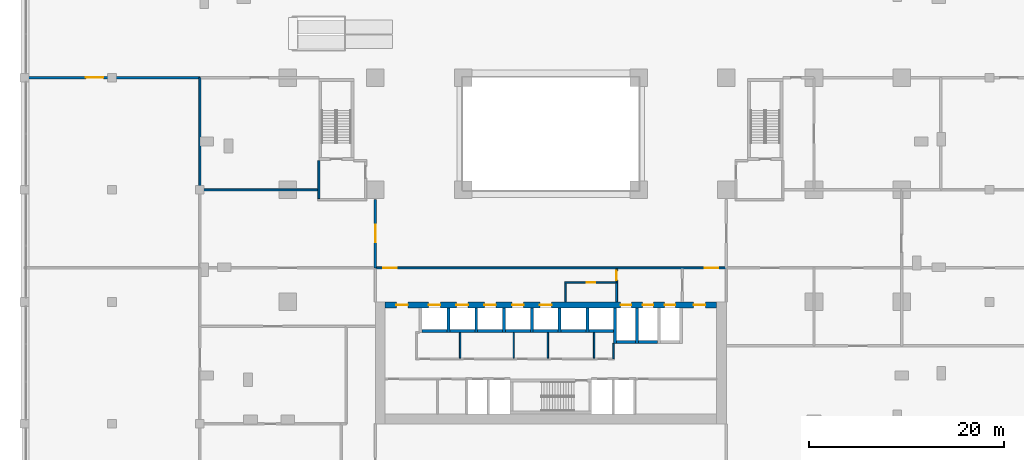
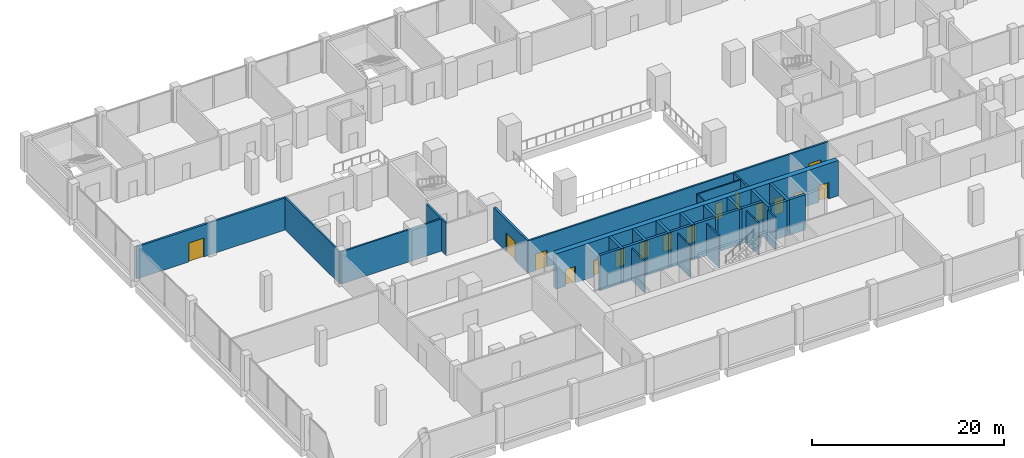
# One storey, part 16 of 22: 33 walls, 16 doors, 16 openings.
"""IFC4 building model written with IfcOpenShell, lengths in metres."""

from ifc_helpers import new_model, si_unit, direction, frame, frame_2d, origin, place, context, subcontext, project, spatial, rectangle, extrude, material, layer, layer_set, type_object, element, fill, save


model = new_model("IFC4")

# Units and contexts
model_context = context("Model", 3, precision=1e-05, world=origin(), true_north=direction((0.0, 1.0)))
body_context = subcontext(model_context, "Body", "Model", "MODEL_VIEW")
ifc_project = project(units=[si_unit("LENGTHUNIT", "METRE"), si_unit("AREAUNIT", "SQUARE_METRE"), si_unit("VOLUMEUNIT", "CUBIC_METRE"), si_unit("PLANEANGLEUNIT", "RADIAN"), si_unit("MASSUNIT", "GRAM", prefix="KILO")], contexts=[model_context])

# Site, building, storey
site_placement = place(None, origin())
site = spatial("IfcSite", under=ifc_project, at=site_placement, CompositionType="ELEMENT")
building_placement = place(site_placement, origin())
building = spatial("IfcBuilding", under=site, at=building_placement, Name="Brigalow Station Residences", CompositionType="ELEMENT")
storey_placement = place(building_placement, frame((0.0, 0.0, 6.5)))
storey = spatial("IfcBuildingStorey", under=building, at=storey_placement, Name="L01", CompositionType="ELEMENT", Elevation=6.5)

# Walls
ifc_material_1 = material(Name="Concrete C80", Category="concrete")
ifc_layer_1 = layer(ifc_material_1, 0.300048828125)
ifc_layer_set_1 = layer_set([ifc_layer_1], Name="CORE SHEAR WALL 300 C80")
wall_type_1 = type_object("IfcWallType", Name="CORE SHEAR WALL 300 C80", PredefinedType="SHEAR", material=ifc_layer_set_1)
for number, where, z_axis, x_axis, name in (
    (1, (22.800048828125, 9.5, 0.0), (0.0, 0.0, 1.0), (1.0, 0.0, 0.0), "CORE WALL SH-P1-S L01"),
    (2, (25.64990234375, 9.5, 0.0), (0.0, 0.0, 1.0), (1.0, 0.0, 0.0), "CORE WALL SH-P2-S L01"),
):
    element("IfcWall", number, at=place(storey_placement, frame(where, z_axis=z_axis, x_axis=x_axis)), inside=storey, type_object=wall_type_1, Name=name, PredefinedType="SHEAR", context=body_context, shape_type="SweptSolid", body=[
        extrude(rectangle(XDim=2.550048828125, YDim=0.300048828125, at=frame_2d((1.27490234375, 0.0))), origin(), (0.0, 0.0, 1.0), 4.5),
    ])
wall_1_placement = place(storey_placement, frame((25.5, 9.35009765625, 0.0), z_axis=(0.0, 0.0, 1.0), x_axis=(0.0, 1.0, 0.0)))
element("IfcWall", 3, at=wall_1_placement, inside=storey, type_object=wall_type_1, Name="CORE WALL SH-P2-W L01", PredefinedType="SHEAR", context=body_context, shape_type="SweptSolid", body=[
    extrude(rectangle(XDim=2.5498046875, YDim=0.300048828125, at=frame_2d((1.27490234375, 0.0))), origin(), (0.0, 0.0, 1.0), 4.5),
])
wall_2_placement = place(storey_placement, frame((28.5, 9.5, 0.0), z_axis=(0.0, 0.0, 1.0), x_axis=(1.0, 0.0, 0.0)))
element("IfcWall", 4, at=wall_2_placement, inside=storey, type_object=wall_type_1, Name="CORE WALL SH-P3-S L01", PredefinedType="SHEAR", context=body_context, shape_type="SweptSolid", body=[
    extrude(rectangle(XDim=2.550048828125, YDim=0.300048828125, at=frame_2d((1.27490234375, 0.0))), origin(), (0.0, 0.0, 1.0), 4.5),
])
for number, where, z_axis, x_axis, name in (
    (5, (28.35009765625, 9.35009765625, 0.0), (0.0, 0.0, 1.0), (0.0, 1.0, 0.0), "CORE WALL SH-P3-W L01"),
    (6, (31.35009765625, 9.5, 0.0), (0.0, 0.0, 1.0), (1.0, 0.0, 0.0), "CORE WALL SH-P4-S L01"),
    (7, (31.199951171875, 9.35009765625, 0.0), (0.0, 0.0, 1.0), (0.0, 1.0, 0.0), "CORE WALL SH-P4-W L01"),
):
    element("IfcWall", number, at=place(storey_placement, frame(where, z_axis=z_axis, x_axis=x_axis)), inside=storey, type_object=wall_type_1, Name=name, PredefinedType="SHEAR", context=body_context, shape_type="SweptSolid", body=[
        extrude(rectangle(XDim=2.5498046875, YDim=0.300048828125, at=frame_2d((1.27490234375, 0.0))), origin(), (0.0, 0.0, 1.0), 4.5),
    ])
wall_3_placement = place(storey_placement, frame((34.199951171875, 9.5, 0.0), z_axis=(0.0, 0.0, 1.0), x_axis=(1.0, 0.0, 0.0)))
element("IfcWall", 8, at=wall_3_placement, inside=storey, type_object=wall_type_1, Name="CORE WALL SH-P5-S L01", PredefinedType="SHEAR", context=body_context, shape_type="SweptSolid", body=[
    extrude(rectangle(XDim=2.550048828125, YDim=0.300048828125, at=frame_2d((1.27490234375, 0.0))), origin(), (0.0, 0.0, 1.0), 4.5),
])
wall_4_placement = place(storey_placement, frame((34.050048828125, 9.35009765625, 0.0), z_axis=(0.0, 0.0, 1.0), x_axis=(0.0, 1.0, 0.0)))
element("IfcWall", 9, at=wall_4_placement, inside=storey, type_object=wall_type_1, Name="CORE WALL SH-P5-W L01", PredefinedType="SHEAR", context=body_context, shape_type="SweptSolid", body=[
    extrude(rectangle(XDim=2.5498046875, YDim=0.300048828125, at=frame_2d((1.27490234375, 0.0))), origin(), (0.0, 0.0, 1.0), 4.5),
])
wall_5_placement = place(storey_placement, frame((37.050048828125, 9.5, 0.0), z_axis=(0.0, 0.0, 1.0), x_axis=(1.0, 0.0, 0.0)))
element("IfcWall", 10, at=wall_5_placement, inside=storey, type_object=wall_type_1, Name="CORE WALL SH-X1-S L01", PredefinedType="SHEAR", context=body_context, shape_type="SweptSolid", body=[
    extrude(rectangle(XDim=2.550048828125, YDim=0.300048828125, at=frame_2d((1.27490234375, 0.0))), origin(), (0.0, 0.0, 1.0), 4.5),
])
wall_6_placement = place(storey_placement, frame((36.89990234375, 9.35009765625, 0.0), z_axis=(0.0, 0.0, 1.0), x_axis=(0.0, 1.0, 0.0)))
element("IfcWall", 11, at=wall_6_placement, inside=storey, type_object=wall_type_1, Name="CORE WALL SH-X1-W L01", PredefinedType="SHEAR", context=body_context, shape_type="SweptSolid", body=[
    extrude(rectangle(XDim=2.5498046875, YDim=0.300048828125, at=frame_2d((1.27490234375, 0.0))), origin(), (0.0, 0.0, 1.0), 4.5),
])
wall_7_placement = place(storey_placement, frame((39.89990234375, 9.5, 0.0), z_axis=(0.0, 0.0, 1.0), x_axis=(1.0, 0.0, 0.0)))
element("IfcWall", 12, at=wall_7_placement, inside=storey, type_object=wall_type_1, Name="CORE WALL SH-X2-S L01", PredefinedType="SHEAR", context=body_context, shape_type="SweptSolid", body=[
    extrude(rectangle(XDim=2.550048828125, YDim=0.300048828125, at=frame_2d((1.27490234375, 0.0))), origin(), (0.0, 0.0, 1.0), 4.5),
])
wall_8_placement = place(storey_placement, frame((39.75, 9.35009765625, 0.0), z_axis=(0.0, 0.0, 1.0), x_axis=(0.0, 1.0, 0.0)))
element("IfcWall", 13, at=wall_8_placement, inside=storey, type_object=wall_type_1, Name="CORE WALL SH-X2-W L01", PredefinedType="SHEAR", context=body_context, shape_type="SweptSolid", body=[
    extrude(rectangle(XDim=2.5498046875, YDim=0.300048828125, at=frame_2d((1.27490234375, 0.0))), origin(), (0.0, 0.0, 1.0), 4.5),
])
wall_9_placement = place(storey_placement, frame((42.75, 8.39990234375, 0.0), z_axis=(0.0, 0.0, 1.0), x_axis=(1.0, 0.0, 0.0)))
element("IfcWall", 14, at=wall_9_placement, inside=storey, type_object=wall_type_1, Name="CORE WALL SH-FF1-S L01", PredefinedType="SHEAR", context=body_context, shape_type="SweptSolid", body=[
    extrude(rectangle(XDim=1.949951171875, YDim=0.300048828125, at=frame_2d((0.97509765625, 0.0))), origin(), (0.0, 0.0, 1.0), 4.5),
])
wall_10_placement = place(storey_placement, frame((42.60009765625, 8.25, 0.0), z_axis=(0.0, 0.0, 1.0), x_axis=(0.0, 1.0, 0.0)))
element("IfcWall", 15, at=wall_10_placement, inside=storey, type_object=wall_type_1, Name="CORE WALL SH-FF1-W L01", PredefinedType="SHEAR", context=body_context, shape_type="SweptSolid", body=[
    extrude(rectangle(XDim=3.64990234375, YDim=0.300048828125, at=frame_2d((1.824951171875, 0.0))), origin(), (0.0, 0.0, 1.0), 4.5),
])
wall_11_placement = place(storey_placement, frame((45.0, 8.39990234375, 0.0), z_axis=(0.0, 0.0, 1.0), x_axis=(1.0, 0.0, 0.0)))
element("IfcWall", 16, at=wall_11_placement, inside=storey, type_object=wall_type_1, Name="CORE WALL SH-FF2-S L01", PredefinedType="SHEAR", context=body_context, shape_type="SweptSolid", body=[
    extrude(rectangle(XDim=1.949951171875, YDim=0.300048828125, at=frame_2d((0.97509765625, 0.0))), origin(), (0.0, 0.0, 1.0), 4.5),
])
wall_12_placement = place(storey_placement, frame((44.85009765625, 8.25, 0.0), z_axis=(0.0, 0.0, 1.0), x_axis=(0.0, 1.0, 0.0)))
element("IfcWall", 17, at=wall_12_placement, inside=storey, type_object=wall_type_1, Name="CORE WALL SH-FF2-W L01", PredefinedType="SHEAR", context=body_context, shape_type="SweptSolid", body=[
    extrude(rectangle(XDim=3.64990234375, YDim=0.300048828125, at=frame_2d((1.824951171875, 0.0))), origin(), (0.0, 0.0, 1.0), 4.5),
])

# Wall, openings, doors
ifc_material_2 = material(Name="Concrete C80", Category="concrete")
ifc_layer_2 = layer(ifc_material_2, 0.60009765625)
ifc_layer_set_2 = layer_set([ifc_layer_2], Name="CORE SHEAR WALL 600 C80")
wall_type_2 = type_object("IfcWallType", Name="CORE SHEAR WALL 600 C80", PredefinedType="SHEAR", material=ifc_layer_set_2)
wall_13_placement = place(storey_placement, frame((19.0, 12.199951171875, 0.0), z_axis=(0.0, 0.0, 1.0), x_axis=(1.0, 0.0, 0.0)))
wall_13 = element("IfcWall", 18, at=wall_13_placement, inside=storey, type_object=wall_type_2, Name="CORE WALL OUT-N L01", PredefinedType="SHEAR", context=body_context, shape_type="SweptSolid", body=[
    extrude(rectangle(XDim=34.0, YDim=0.60009765625, at=frame_2d((17.0, 0.0))), origin(), (0.0, 0.0, 1.0), 4.5),
])
opening_1_placement = place(wall_13_placement, frame((4.47509765625, 0.0, 0.0)))
opening_1 = element("IfcOpeningElement", 19, at=opening_1_placement, cuts=wall_13, Name="Opening LD-LA1", PredefinedType="OPENING", context=body_context, shape_type="SweptSolid", body=[
    extrude(rectangle(XDim=1.199951171875, YDim=2.10009765625, at=frame_2d((0.60009765625, 1.050048828125))), frame((0.0, 0.31005859375, 0.0), z_axis=(0.0, -1.0, 0.0), x_axis=(1.0, 0.0, 0.0)), (0.0, 0.0, 1.0), 0.6201171875),
])
opening_2_placement = place(wall_13_placement, frame((7.324951171875, 0.0, 0.0)))
opening_2 = element("IfcOpeningElement", 20, at=opening_2_placement, cuts=wall_13, Name="Opening LD-LA2", PredefinedType="OPENING", context=body_context, shape_type="SweptSolid", body=[
    extrude(rectangle(XDim=1.199951171875, YDim=2.10009765625, at=frame_2d((0.60009765625, 1.050048828125))), frame((0.0, 0.31005859375, 0.0), z_axis=(0.0, -1.0, 0.0), x_axis=(1.0, 0.0, 0.0)), (0.0, 0.0, 1.0), 0.6201171875),
])
opening_3_placement = place(wall_13_placement, frame((10.175048828125, 0.0, 0.0)))
opening_3 = element("IfcOpeningElement", 21, at=opening_3_placement, cuts=wall_13, Name="Opening LD-LA3", PredefinedType="OPENING", context=body_context, shape_type="SweptSolid", body=[
    extrude(rectangle(XDim=1.199951171875, YDim=2.10009765625, at=frame_2d((0.60009765625, 1.050048828125))), frame((0.0, 0.31005859375, 0.0), z_axis=(0.0, -1.0, 0.0), x_axis=(1.0, 0.0, 0.0)), (0.0, 0.0, 1.0), 0.6201171875),
])
opening_4_placement = place(wall_13_placement, frame((13.02490234375, 0.0, 0.0)))
opening_4 = element("IfcOpeningElement", 22, at=opening_4_placement, cuts=wall_13, Name="Opening LD-LA4", PredefinedType="OPENING", context=body_context, shape_type="SweptSolid", body=[
    extrude(rectangle(XDim=1.199951171875, YDim=2.10009765625, at=frame_2d((0.60009765625, 1.050048828125))), frame((0.0, 0.31005859375, 0.0), z_axis=(0.0, -1.0, 0.0), x_axis=(1.0, 0.0, 0.0)), (0.0, 0.0, 1.0), 0.6201171875),
])
opening_5_placement = place(wall_13_placement, frame((15.875, 0.0, 0.0)))
opening_5 = element("IfcOpeningElement", 23, at=opening_5_placement, cuts=wall_13, Name="Opening LD-LA5", PredefinedType="OPENING", context=body_context, shape_type="SweptSolid", body=[
    extrude(rectangle(XDim=1.199951171875, YDim=2.10009765625, at=frame_2d((0.60009765625, 1.050048828125))), frame((0.0, 0.31005859375, 0.0), z_axis=(0.0, -1.0, 0.0), x_axis=(1.0, 0.0, 0.0)), (0.0, 0.0, 1.0), 0.6201171875),
])
opening_6_placement = place(wall_13_placement, frame((24.175048828125, 0.0, 0.0)))
opening_6 = element("IfcOpeningElement", 24, at=opening_6_placement, cuts=wall_13, Name="Opening LD-LF1", PredefinedType="OPENING", context=body_context, shape_type="SweptSolid", body=[
    extrude(rectangle(XDim=1.10009765625, YDim=2.10009765625, at=frame_2d((0.550048828125, 1.050048828125))), frame((0.0, 0.31005859375, 0.0), z_axis=(0.0, -1.0, 0.0), x_axis=(1.0, 0.0, 0.0)), (0.0, 0.0, 1.0), 0.6201171875),
])
opening_7_placement = place(wall_13_placement, frame((26.425048828125, 0.0, 0.0)))
opening_7 = element("IfcOpeningElement", 25, at=opening_7_placement, cuts=wall_13, Name="Opening LD-LF2", PredefinedType="OPENING", context=body_context, shape_type="SweptSolid", body=[
    extrude(rectangle(XDim=1.10009765625, YDim=2.10009765625, at=frame_2d((0.550048828125, 1.050048828125))), frame((0.0, 0.31005859375, 0.0), z_axis=(0.0, -1.0, 0.0), x_axis=(1.0, 0.0, 0.0)), (0.0, 0.0, 1.0), 0.6201171875),
])
opening_8_placement = place(wall_13_placement, frame((28.675048828125, 0.0, 0.0)))
opening_8 = element("IfcOpeningElement", 26, at=opening_8_placement, cuts=wall_13, Name="Opening LD-LG1", PredefinedType="OPENING", context=body_context, shape_type="SweptSolid", body=[
    extrude(rectangle(XDim=1.10009765625, YDim=2.10009765625, at=frame_2d((0.550048828125, 1.050048828125))), frame((0.0, 0.31005859375, 0.0), z_axis=(0.0, -1.0, 0.0), x_axis=(1.0, 0.0, 0.0)), (0.0, 0.0, 1.0), 0.6201171875),
])
opening_9_placement = place(wall_13_placement, frame((1.14990234375, 0.0, 0.0)))
opening_9 = element("IfcOpeningElement", 27, at=opening_9_placement, cuts=wall_13, Name="Opening D-5011", PredefinedType="OPENING", context=body_context, shape_type="SweptSolid", body=[
    extrude(rectangle(XDim=1.199951171875, YDim=2.10009765625, at=frame_2d((0.60009765625, 1.050048828125))), frame((0.0, 0.31005859375, 0.0), z_axis=(0.0, -1.0, 0.0), x_axis=(1.0, 0.0, 0.0)), (0.0, 0.0, 1.0), 0.6201171875),
])
opening_10_placement = place(wall_13_placement, frame((31.64990234375, 0.0, 0.0)))
opening_10 = element("IfcOpeningElement", 28, at=opening_10_placement, cuts=wall_13, Name="Opening D-5012", PredefinedType="OPENING", context=body_context, shape_type="SweptSolid", body=[
    extrude(rectangle(XDim=1.199951171875, YDim=2.10009765625, at=frame_2d((0.60009765625, 1.050048828125))), frame((0.0, 0.31005859375, 0.0), z_axis=(0.0, -1.0, 0.0), x_axis=(1.0, 0.0, 0.0)), (0.0, 0.0, 1.0), 0.6201171875),
])
ifc_material_3 = material(Name="Steel fire door leaf in steel frame", Category="steel")
door_type_1 = type_object("IfcDoorType", Name="CORE CORRIDOR DOOR 1200 x 2100 FD60S", OperationType="SINGLE_SWING_LEFT", PredefinedType="DOOR", material=ifc_material_3)
door_1_placement = place(opening_9_placement, frame((1.199951171875, 0.0, 0.0), z_axis=(0.0, 0.0, 1.0), x_axis=(-1.0, 0.0, 0.0)))
door_1 = element("IfcDoor", 29, at=door_1_placement, inside=storey, type_object=door_type_1, Name="D-5011", OperationType="SINGLE_SWING_LEFT", OverallHeight=2.10009765625, OverallWidth=1.199951171875, PredefinedType="DOOR", context=body_context, shape_type="SweptSolid", body=[
    extrude(rectangle(XDim=1.199951171875, YDim=2.10009765625, at=frame_2d((0.60009765625, 1.050048828125))), frame((0.0, 0.02490234375, 0.0), z_axis=(0.0, -1.0, 0.0), x_axis=(1.0, 0.0, 0.0)), (0.0, 0.0, 1.0), 0.050048828125),
])
fill(opening_9, door_1)
door_2_placement = place(opening_10_placement, frame((1.199951171875, 0.0, 0.0), z_axis=(0.0, 0.0, 1.0), x_axis=(-1.0, 0.0, 0.0)))
door_2 = element("IfcDoor", 30, at=door_2_placement, inside=storey, type_object=door_type_1, Name="D-5012", OperationType="SINGLE_SWING_RIGHT", OverallHeight=2.10009765625, OverallWidth=1.199951171875, PredefinedType="DOOR", context=body_context, shape_type="SweptSolid", body=[
    extrude(rectangle(XDim=1.199951171875, YDim=2.10009765625, at=frame_2d((0.60009765625, 1.050048828125))), frame((0.0, 0.02490234375, 0.0), z_axis=(0.0, -1.0, 0.0), x_axis=(1.0, 0.0, 0.0)), (0.0, 0.0, 1.0), 0.050048828125),
])
fill(opening_10, door_2)
ifc_material_4 = material(Name="Stainless steel sliding door leaves", Category="steel")
door_type_2 = type_object("IfcDoorType", Name="LIFT LANDING DOOR 1100 x 2100", OperationType="DOUBLE_DOOR_SLIDING", PredefinedType="DOOR", material=ifc_material_4)
door_3_placement = place(opening_6_placement, origin())
door_3 = element("IfcDoor", 31, at=door_3_placement, inside=storey, type_object=door_type_2, Name="LANDING DOOR LF1", OperationType="DOUBLE_DOOR_SLIDING", OverallHeight=2.10009765625, OverallWidth=1.10009765625, PredefinedType="DOOR", context=body_context, shape_type="SweptSolid", body=[
    extrude(rectangle(XDim=1.10009765625, YDim=2.10009765625, at=frame_2d((0.550048828125, 1.050048828125))), frame((0.0, 0.02490234375, 0.0), z_axis=(0.0, -1.0, 0.0), x_axis=(1.0, 0.0, 0.0)), (0.0, 0.0, 1.0), 0.050048828125),
])
fill(opening_6, door_3)
door_4_placement = place(opening_7_placement, origin())
door_4 = element("IfcDoor", 32, at=door_4_placement, inside=storey, type_object=door_type_2, Name="LANDING DOOR LF2", OperationType="DOUBLE_DOOR_SLIDING", OverallHeight=2.10009765625, OverallWidth=1.10009765625, PredefinedType="DOOR", context=body_context, shape_type="SweptSolid", body=[
    extrude(rectangle(XDim=1.10009765625, YDim=2.10009765625, at=frame_2d((0.550048828125, 1.050048828125))), frame((0.0, 0.02490234375, 0.0), z_axis=(0.0, -1.0, 0.0), x_axis=(1.0, 0.0, 0.0)), (0.0, 0.0, 1.0), 0.050048828125),
])
fill(opening_7, door_4)
door_5_placement = place(opening_8_placement, origin())
door_5 = element("IfcDoor", 33, at=door_5_placement, inside=storey, type_object=door_type_2, Name="LANDING DOOR LG1", OperationType="DOUBLE_DOOR_SLIDING", OverallHeight=2.10009765625, OverallWidth=1.10009765625, PredefinedType="DOOR", context=body_context, shape_type="SweptSolid", body=[
    extrude(rectangle(XDim=1.10009765625, YDim=2.10009765625, at=frame_2d((0.550048828125, 1.050048828125))), frame((0.0, 0.02490234375, 0.0), z_axis=(0.0, -1.0, 0.0), x_axis=(1.0, 0.0, 0.0)), (0.0, 0.0, 1.0), 0.050048828125),
])
fill(opening_8, door_5)
ifc_material_5 = material(Name="Stainless steel sliding door leaves", Category="steel")
door_type_3 = type_object("IfcDoorType", Name="LIFT LANDING DOOR 1200 x 2100", OperationType="DOUBLE_DOOR_SLIDING", PredefinedType="DOOR", material=ifc_material_5)
door_6_placement = place(opening_1_placement, origin())
door_6 = element("IfcDoor", 34, at=door_6_placement, inside=storey, type_object=door_type_3, Name="LANDING DOOR LA1", OperationType="DOUBLE_DOOR_SLIDING", OverallHeight=2.10009765625, OverallWidth=1.199951171875, PredefinedType="DOOR", context=body_context, shape_type="SweptSolid", body=[
    extrude(rectangle(XDim=1.199951171875, YDim=2.10009765625, at=frame_2d((0.60009765625, 1.050048828125))), frame((0.0, 0.02490234375, 0.0), z_axis=(0.0, -1.0, 0.0), x_axis=(1.0, 0.0, 0.0)), (0.0, 0.0, 1.0), 0.050048828125),
])
fill(opening_1, door_6)
door_7_placement = place(opening_2_placement, origin())
door_7 = element("IfcDoor", 35, at=door_7_placement, inside=storey, type_object=door_type_3, Name="LANDING DOOR LA2", OperationType="DOUBLE_DOOR_SLIDING", OverallHeight=2.10009765625, OverallWidth=1.199951171875, PredefinedType="DOOR", context=body_context, shape_type="SweptSolid", body=[
    extrude(rectangle(XDim=1.199951171875, YDim=2.10009765625, at=frame_2d((0.60009765625, 1.050048828125))), frame((0.0, 0.02490234375, 0.0), z_axis=(0.0, -1.0, 0.0), x_axis=(1.0, 0.0, 0.0)), (0.0, 0.0, 1.0), 0.050048828125),
])
fill(opening_2, door_7)
door_8_placement = place(opening_3_placement, origin())
door_8 = element("IfcDoor", 36, at=door_8_placement, inside=storey, type_object=door_type_3, Name="LANDING DOOR LA3", OperationType="DOUBLE_DOOR_SLIDING", OverallHeight=2.10009765625, OverallWidth=1.199951171875, PredefinedType="DOOR", context=body_context, shape_type="SweptSolid", body=[
    extrude(rectangle(XDim=1.199951171875, YDim=2.10009765625, at=frame_2d((0.60009765625, 1.050048828125))), frame((0.0, 0.02490234375, 0.0), z_axis=(0.0, -1.0, 0.0), x_axis=(1.0, 0.0, 0.0)), (0.0, 0.0, 1.0), 0.050048828125),
])
fill(opening_3, door_8)
door_9_placement = place(opening_4_placement, origin())
door_9 = element("IfcDoor", 37, at=door_9_placement, inside=storey, type_object=door_type_3, Name="LANDING DOOR LA4", OperationType="DOUBLE_DOOR_SLIDING", OverallHeight=2.10009765625, OverallWidth=1.199951171875, PredefinedType="DOOR", context=body_context, shape_type="SweptSolid", body=[
    extrude(rectangle(XDim=1.199951171875, YDim=2.10009765625, at=frame_2d((0.60009765625, 1.050048828125))), frame((0.0, 0.02490234375, 0.0), z_axis=(0.0, -1.0, 0.0), x_axis=(1.0, 0.0, 0.0)), (0.0, 0.0, 1.0), 0.050048828125),
])
fill(opening_4, door_9)
door_10_placement = place(opening_5_placement, origin())
door_10 = element("IfcDoor", 38, at=door_10_placement, inside=storey, type_object=door_type_3, Name="LANDING DOOR LA5", OperationType="DOUBLE_DOOR_SLIDING", OverallHeight=2.10009765625, OverallWidth=1.199951171875, PredefinedType="DOOR", context=body_context, shape_type="SweptSolid", body=[
    extrude(rectangle(XDim=1.199951171875, YDim=2.10009765625, at=frame_2d((0.60009765625, 1.050048828125))), frame((0.0, 0.02490234375, 0.0), z_axis=(0.0, -1.0, 0.0), x_axis=(1.0, 0.0, 0.0)), (0.0, 0.0, 1.0), 0.050048828125),
])
fill(opening_5, door_10)

# Wall, opening, door
ifc_material_6 = material(Name="Fire-rated plasterboard on steel studs", Category="steel")
ifc_layer_3 = layer(ifc_material_6, 0.25)
ifc_layer_set_3 = layer_set([ifc_layer_3], Name="FIRE PARTITION 250")
wall_type_3 = type_object("IfcWallType", Name="FIRE PARTITION 250", PredefinedType="PARTITIONING", material=ifc_layer_set_3)
wall_14_placement = place(storey_placement, frame((18.0, 16.0, 0.0), z_axis=(0.0, 0.0, 1.0), x_axis=(0.0, 1.0, 0.0)))
wall_14 = element("IfcWall", 39, at=wall_14_placement, inside=storey, type_object=wall_type_3, Name="Fire Partition 250 Mezzanine Gallery / Residents' Lounge", PredefinedType="PARTITIONING", context=body_context, shape_type="SweptSolid", body=[
    extrude(rectangle(XDim=7.0, YDim=0.25, at=frame_2d((3.5, 0.0))), origin(), (0.0, 0.0, 1.0), 4.097900390625),
])
opening_11_placement = place(wall_14_placement, frame((2.60009765625, 0.0, 0.0)))
opening_11 = element("IfcOpeningElement", 40, at=opening_11_placement, cuts=wall_14, Name="Opening D-7320", PredefinedType="OPENING", context=body_context, shape_type="SweptSolid", body=[
    extrude(rectangle(XDim=1.800048828125, YDim=2.39990234375, at=frame_2d((0.89990234375, 1.199951171875))), frame((0.0, 0.135009765625, 0.0), z_axis=(0.0, -1.0, 0.0), x_axis=(1.0, 0.0, 0.0)), (0.0, 0.0, 1.0), 0.27001953125),
])
ifc_material_7 = material(Name="Steel fire door leaves in steel frame", Category="steel")
door_type_4 = type_object("IfcDoorType", Name="DOOR DOUBLE 1800 FIRE", OperationType="DOUBLE_DOOR_SINGLE_SWING", PredefinedType="DOOR", material=ifc_material_7)
door_11_placement = place(opening_11_placement, frame((1.800048828125, 0.0, 0.0), z_axis=(0.0, 0.0, 1.0), x_axis=(-1.0, 0.0, 0.0)))
door_11 = element("IfcDoor", 41, at=door_11_placement, inside=storey, type_object=door_type_4, Name="Residents' lounge door", OperationType="DOUBLE_DOOR_SINGLE_SWING", OverallHeight=2.39990234375, OverallWidth=1.800048828125, PredefinedType="DOOR", context=body_context, shape_type="SweptSolid", body=[
    extrude(rectangle(XDim=1.800048828125, YDim=2.39990234375, at=frame_2d((0.89990234375, 1.199951171875))), frame((0.0, 0.02490234375, 0.0), z_axis=(0.0, -1.0, 0.0), x_axis=(1.0, 0.0, 0.0)), (0.0, 0.0, 1.0), 0.050048828125),
])
fill(opening_11, door_11)

wall_15_placement = place(storey_placement, frame((-18.0, 35.5, 0.0), z_axis=(0.0, 0.0, 1.0), x_axis=(1.0, 0.0, 0.0)))
wall_15 = element("IfcWall", 42, at=wall_15_placement, inside=storey, type_object=wall_type_3, Name="Fire Partition 250 Mezzanine Gallery / Residents' Co-Working Space", PredefinedType="PARTITIONING", context=body_context, shape_type="SweptSolid", body=[
    extrude(rectangle(XDim=18.0, YDim=0.25, at=frame_2d((9.0, 0.0))), origin(), (0.0, 0.0, 1.0), 4.097900390625),
])
opening_12_placement = place(wall_15_placement, frame((6.300048828125, 0.0, 0.0)))
opening_12 = element("IfcOpeningElement", 43, at=opening_12_placement, cuts=wall_15, Name="Opening D-7322", PredefinedType="OPENING", context=body_context, shape_type="SweptSolid", body=[
    extrude(rectangle(XDim=1.800048828125, YDim=2.39990234375, at=frame_2d((0.89990234375, 1.199951171875))), frame((0.0, 0.135009765625, 0.0), z_axis=(0.0, -1.0, 0.0), x_axis=(1.0, 0.0, 0.0)), (0.0, 0.0, 1.0), 0.27001953125),
])
door_12_placement = place(opening_12_placement, origin())
door_12 = element("IfcDoor", 44, at=door_12_placement, inside=storey, type_object=door_type_4, Name="Co-working space door", OperationType="DOUBLE_DOOR_SINGLE_SWING", OverallHeight=2.39990234375, OverallWidth=1.800048828125, PredefinedType="DOOR", context=body_context, shape_type="SweptSolid", body=[
    extrude(rectangle(XDim=1.800048828125, YDim=2.39990234375, at=frame_2d((0.89990234375, 1.199951171875))), frame((0.0, 0.02490234375, 0.0), z_axis=(0.0, -1.0, 0.0), x_axis=(1.0, 0.0, 0.0)), (0.0, 0.0, 1.0), 0.050048828125),
])
fill(opening_12, door_12)

# Wall
ifc_material_8 = material(Name="Concrete blockwork", Category="masonry")
ifc_layer_4 = layer(ifc_material_8, 0.199951171875)
ifc_layer_set_4 = layer_set([ifc_layer_4], Name="FIRE RATED CORE PARTITION 200")
wall_type_4 = type_object("IfcWallType", Name="FIRE RATED CORE PARTITION 200", PredefinedType="PARTITIONING", material=ifc_layer_set_4)
wall_16_placement = place(storey_placement, frame((42.75, 12.5, 0.0), z_axis=(0.0, 0.0, 1.0), x_axis=(0.0, 1.0, 0.0)))
element("IfcWall", 45, at=wall_16_placement, inside=storey, type_object=wall_type_4, Name="PW-5046", PredefinedType="PARTITIONING", context=body_context, shape_type="SweptSolid", body=[
    extrude(rectangle(XDim=1.925048828125, YDim=0.199951171875, at=frame_2d((0.96240234375, 0.0))), origin(), (0.0, 0.0, 1.0), 4.097900390625),
])

# Wall, opening, door
wall_17_placement = place(storey_placement, frame((42.75, 14.574951171875, 0.0), z_axis=(0.0, 0.0, 1.0), x_axis=(0.0, 1.0, 0.0)))
wall_17 = element("IfcWall", 46, at=wall_17_placement, inside=storey, type_object=wall_type_4, Name="PW-5047", PredefinedType="PARTITIONING", context=body_context, shape_type="SweptSolid", body=[
    extrude(rectangle(XDim=1.324951171875, YDim=0.199951171875, at=frame_2d((0.66259765625, 0.0))), origin(), (0.0, 0.0, 1.0), 4.097900390625),
])
opening_13_placement = place(wall_17_placement, frame((0.125, 0.0, 0.0)))
opening_13 = element("IfcOpeningElement", 47, at=opening_13_placement, cuts=wall_17, Name="Opening D-5013", PredefinedType="OPENING", context=body_context, shape_type="SweptSolid", body=[
    extrude(rectangle(XDim=1.0, YDim=2.10009765625, at=frame_2d((0.5, 1.050048828125))), frame((0.0, 0.10986328125, 0.0), z_axis=(0.0, -1.0, 0.0), x_axis=(1.0, 0.0, 0.0)), (0.0, 0.0, 1.0), 0.219970703125),
])
ifc_material_9 = material(Name="Steel fire door leaf in steel frame", Category="steel")
door_type_5 = type_object("IfcDoorType", Name="LOBBY DOOR 1000 x 2100 FD60S", OperationType="SINGLE_SWING_LEFT", PredefinedType="DOOR", material=ifc_material_9)
door_13_placement = place(opening_13_placement, origin())
door_13 = element("IfcDoor", 48, at=door_13_placement, inside=storey, type_object=door_type_5, Name="D-5013", OperationType="SINGLE_SWING_LEFT", OverallHeight=2.10009765625, OverallWidth=1.0, PredefinedType="DOOR", context=body_context, shape_type="SweptSolid", body=[
    extrude(rectangle(XDim=1.0, YDim=2.10009765625, at=frame_2d((0.5, 1.050048828125))), frame((0.0, 0.02490234375, 0.0), z_axis=(0.0, -1.0, 0.0), x_axis=(1.0, 0.0, 0.0)), (0.0, 0.0, 1.0), 0.050048828125),
])
fill(opening_13, door_13)

# Wall
wall_18_placement = place(storey_placement, frame((12.199951171875, 23.10009765625, 0.0), z_axis=(0.0, 0.0, 1.0), x_axis=(0.0, 1.0, 0.0)))
element("IfcWall", 49, at=wall_18_placement, inside=storey, type_object=wall_type_4, Name="PW-5034", PredefinedType="PARTITIONING", context=body_context, shape_type="SweptSolid", body=[
    extrude(rectangle(XDim=3.89990234375, YDim=0.199951171875, at=frame_2d((1.949951171875, 0.0))), origin(), (0.0, 0.0, 1.0), 4.097900390625),
])

# Wall, openings, doors
wall_19_placement = place(storey_placement, frame((17.89990234375, 16.0, 0.0), z_axis=(0.0, 0.0, 1.0), x_axis=(1.0, 0.0, 0.0)))
wall_19 = element("IfcWall", 50, at=wall_19_placement, inside=storey, type_object=wall_type_4, Name="PW-5038", PredefinedType="PARTITIONING", context=body_context, shape_type="SweptSolid", body=[
    extrude(rectangle(XDim=36.2001953125, YDim=0.199951171875, at=frame_2d((18.10009765625, 0.0))), origin(), (0.0, 0.0, 1.0), 4.097900390625),
])
opening_14_placement = place(wall_19_placement, frame((0.89990234375, 0.0, 0.0)))
opening_14 = element("IfcOpeningElement", 51, at=opening_14_placement, cuts=wall_19, Name="Opening D-5029", PredefinedType="OPENING", context=body_context, shape_type="SweptSolid", body=[
    extrude(rectangle(XDim=1.39990234375, YDim=2.10009765625, at=frame_2d((0.699951171875, 1.050048828125))), frame((0.0, 0.10986328125, 0.0), z_axis=(0.0, -1.0, 0.0), x_axis=(1.0, 0.0, 0.0)), (0.0, 0.0, 1.0), 0.219970703125),
])
opening_15_placement = place(wall_19_placement, frame((33.89990234375, 0.0, 0.0)))
opening_15 = element("IfcOpeningElement", 52, at=opening_15_placement, cuts=wall_19, Name="Opening D-5030", PredefinedType="OPENING", context=body_context, shape_type="SweptSolid", body=[
    extrude(rectangle(XDim=1.39990234375, YDim=2.10009765625, at=frame_2d((0.699951171875, 1.050048828125))), frame((0.0, 0.10986328125, 0.0), z_axis=(0.0, -1.0, 0.0), x_axis=(1.0, 0.0, 0.0)), (0.0, 0.0, 1.0), 0.219970703125),
])
ifc_material_10 = material(Name="Steel fire door leaves in steel frame", Category="steel")
door_type_6 = type_object("IfcDoorType", Name="CORRIDOR FIRE DOOR 1400 x 2100 FD60S", OperationType="SINGLE_SWING_LEFT", PredefinedType="DOOR", material=ifc_material_10)
door_14_placement = place(opening_14_placement, frame((1.39990234375, 0.0, 0.0), z_axis=(0.0, 0.0, 1.0), x_axis=(-1.0, 0.0, 0.0)))
door_14 = element("IfcDoor", 53, at=door_14_placement, inside=storey, type_object=door_type_6, Name="D-5029", OperationType="SINGLE_SWING_RIGHT", OverallHeight=2.10009765625, OverallWidth=1.39990234375, PredefinedType="DOOR", context=body_context, shape_type="SweptSolid", body=[
    extrude(rectangle(XDim=1.39990234375, YDim=2.10009765625, at=frame_2d((0.699951171875, 1.050048828125))), frame((0.0, 0.02490234375, 0.0), z_axis=(0.0, -1.0, 0.0), x_axis=(1.0, 0.0, 0.0)), (0.0, 0.0, 1.0), 0.050048828125),
])
fill(opening_14, door_14)
door_15_placement = place(opening_15_placement, frame((1.39990234375, 0.0, 0.0), z_axis=(0.0, 0.0, 1.0), x_axis=(-1.0, 0.0, 0.0)))
door_15 = element("IfcDoor", 54, at=door_15_placement, inside=storey, type_object=door_type_6, Name="D-5030", OperationType="SINGLE_SWING_LEFT", OverallHeight=2.10009765625, OverallWidth=1.39990234375, PredefinedType="DOOR", context=body_context, shape_type="SweptSolid", body=[
    extrude(rectangle(XDim=1.39990234375, YDim=2.10009765625, at=frame_2d((0.699951171875, 1.050048828125))), frame((0.0, 0.02490234375, 0.0), z_axis=(0.0, -1.0, 0.0), x_axis=(1.0, 0.0, 0.0)), (0.0, 0.0, 1.0), 0.050048828125),
])
fill(opening_15, door_15)

# Walls
ifc_material_11 = material(Name="Plasterboard on steel studs with acoustic insulation", Category="steel")
ifc_layer_5 = layer(ifc_material_11, 0.199951171875)
ifc_layer_set_5 = layer_set([ifc_layer_5], Name="PARTITION 200")
wall_type_5 = type_object("IfcWallType", Name="PARTITION 200", PredefinedType="PARTITIONING", material=ifc_layer_set_5)
wall_20_placement = place(storey_placement, frame((0.0, 24.0, 0.0), z_axis=(0.0, 0.0, 1.0), x_axis=(1.0, 0.0, 0.0)))
element("IfcWall", 55, at=wall_20_placement, inside=storey, type_object=wall_type_5, Name="Partition 200 Residents' Lounge / Residents' Library", PredefinedType="PARTITIONING", context=body_context, shape_type="SweptSolid", body=[
    extrude(rectangle(XDim=12.199951171875, YDim=0.199951171875, at=frame_2d((6.10009765625, 0.0))), origin(), (0.0, 0.0, 1.0), 4.097900390625),
])
wall_21_placement = place(storey_placement, frame((0.0, 24.0, 0.0), z_axis=(0.0, 0.0, 1.0), x_axis=(0.0, 1.0, 0.0)))
element("IfcWall", 56, at=wall_21_placement, inside=storey, type_object=wall_type_5, Name="Partition 200 Residents' Library / Residents' Co-Working Space", PredefinedType="PARTITIONING", context=body_context, shape_type="SweptSolid", body=[
    extrude(rectangle(XDim=11.5, YDim=0.199951171875, at=frame_2d((5.75, 0.0))), origin(), (0.0, 0.0, 1.0), 4.097900390625),
])

# Wall, opening, door
ifc_material_12 = material(Name="Plasterboard on steel studs", Category="steel")
ifc_layer_6 = layer(ifc_material_12, 0.14990234375)
ifc_layer_set_6 = layer_set([ifc_layer_6], Name="SERVICE ROOM PARTITION 150")
wall_type_6 = type_object("IfcWallType", Name="SERVICE ROOM PARTITION 150", PredefinedType="PARTITIONING", material=ifc_layer_set_6)
wall_22_placement = place(storey_placement, frame((37.425048828125, 14.5, 0.0), z_axis=(0.0, 0.0, 1.0), x_axis=(1.0, 0.0, 0.0)))
wall_22 = element("IfcWall", 57, at=wall_22_placement, inside=storey, type_object=wall_type_6, Name="PW-5039", PredefinedType="PARTITIONING", context=body_context, shape_type="SweptSolid", body=[
    extrude(rectangle(XDim=5.425048828125, YDim=0.14990234375, at=frame_2d((2.71240234375, 0.0))), origin(), (0.0, 0.0, 1.0), 4.097900390625),
])
opening_16_placement = place(wall_22_placement, frame((2.25, 0.0, 0.0)))
opening_16 = element("IfcOpeningElement", 58, at=opening_16_placement, cuts=wall_22, Name="Opening D-5036", PredefinedType="OPENING", context=body_context, shape_type="SweptSolid", body=[
    extrude(rectangle(XDim=0.89990234375, YDim=2.10009765625, at=frame_2d((0.449951171875, 1.050048828125))), frame((0.0, 0.0849609375, 0.0), z_axis=(0.0, -1.0, 0.0), x_axis=(1.0, 0.0, 0.0)), (0.0, 0.0, 1.0), 0.169921875),
])
ifc_material_13 = material(Name="Steel door leaf in steel frame", Category="steel")
door_type_7 = type_object("IfcDoorType", Name="SERVICE ROOM DOOR 900 x 2100 FD60", OperationType="SINGLE_SWING_LEFT", PredefinedType="DOOR", material=ifc_material_13)
door_16_placement = place(opening_16_placement, frame((0.89990234375, 0.0, 0.0), z_axis=(0.0, 0.0, 1.0), x_axis=(-1.0, 0.0, 0.0)))
door_16 = element("IfcDoor", 59, at=door_16_placement, inside=storey, type_object=door_type_7, Name="D-5036", OperationType="SINGLE_SWING_LEFT", OverallHeight=2.10009765625, OverallWidth=0.89990234375, PredefinedType="DOOR", context=body_context, shape_type="SweptSolid", body=[
    extrude(rectangle(XDim=0.89990234375, YDim=2.10009765625, at=frame_2d((0.449951171875, 1.050048828125))), frame((0.0, 0.02490234375, 0.0), z_axis=(0.0, -1.0, 0.0), x_axis=(1.0, 0.0, 0.0)), (0.0, 0.0, 1.0), 0.050048828125),
])
fill(opening_16, door_16)

# Walls
wall_23_placement = place(storey_placement, frame((42.449951171875, 6.64990234375, 0.0), z_axis=(0.0, 0.0, 1.0), x_axis=(0.0, 1.0, 0.0)))
element("IfcWall", 60, at=wall_23_placement, inside=storey, type_object=wall_type_6, Name="PW-5029", PredefinedType="PARTITIONING", context=body_context, shape_type="SweptSolid", body=[
    extrude(rectangle(XDim=1.60009765625, YDim=0.14990234375, at=frame_2d((0.800048828125, 0.0))), origin(), (0.0, 0.0, 1.0), 4.097900390625),
])
for number, where, z_axis, x_axis, name in (
    (61, (26.699951171875, 6.72509765625, 0.0), (0.0, 0.0, 1.0), (0.0, 1.0, 0.0), "PW-5041"),
    (62, (32.199951171875, 6.72509765625, 0.0), (0.0, 0.0, 1.0), (0.0, 1.0, 0.0), "PW-5042"),
    (63, (35.699951171875, 6.72509765625, 0.0), (0.0, 0.0, 1.0), (0.0, 1.0, 0.0), "PW-5043"),
    (64, (40.449951171875, 6.72509765625, 0.0), (0.0, 0.0, 1.0), (0.0, 1.0, 0.0), "PW-5044"),
):
    element("IfcWall", number, at=place(storey_placement, frame(where, z_axis=z_axis, x_axis=x_axis)), inside=storey, type_object=wall_type_6, Name=name, PredefinedType="PARTITIONING", context=body_context, shape_type="SweptSolid", body=[
        extrude(rectangle(XDim=2.625, YDim=0.14990234375, at=frame_2d((1.3125, 0.0))), origin(), (0.0, 0.0, 1.0), 4.097900390625),
    ])
wall_24_placement = place(storey_placement, frame((37.5, 12.5, 0.0), z_axis=(0.0, 0.0, 1.0), x_axis=(0.0, 1.0, 0.0)))
element("IfcWall", 65, at=wall_24_placement, inside=storey, type_object=wall_type_6, Name="PW-5045", PredefinedType="PARTITIONING", context=body_context, shape_type="SweptSolid", body=[
    extrude(rectangle(XDim=1.925048828125, YDim=0.14990234375, at=frame_2d((0.96240234375, 0.0))), origin(), (0.0, 0.0, 1.0), 4.097900390625),
])

save(model, "model.ifc")
